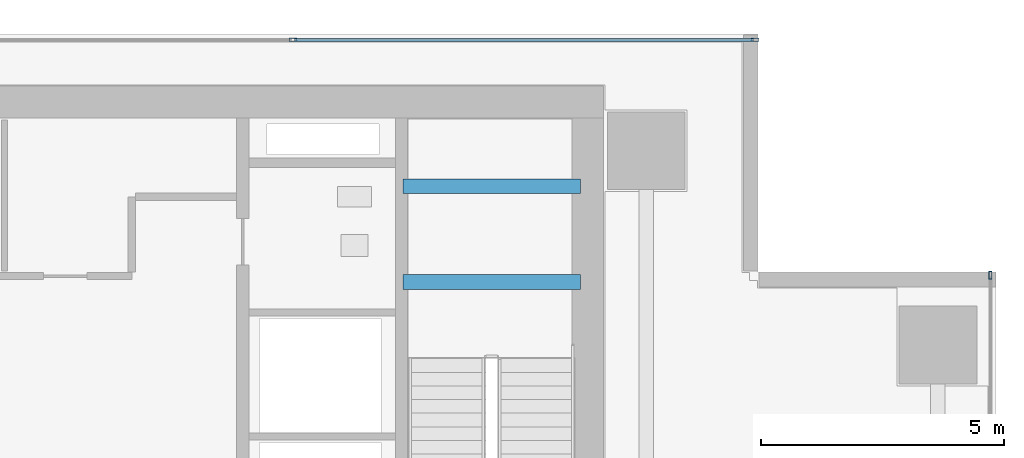
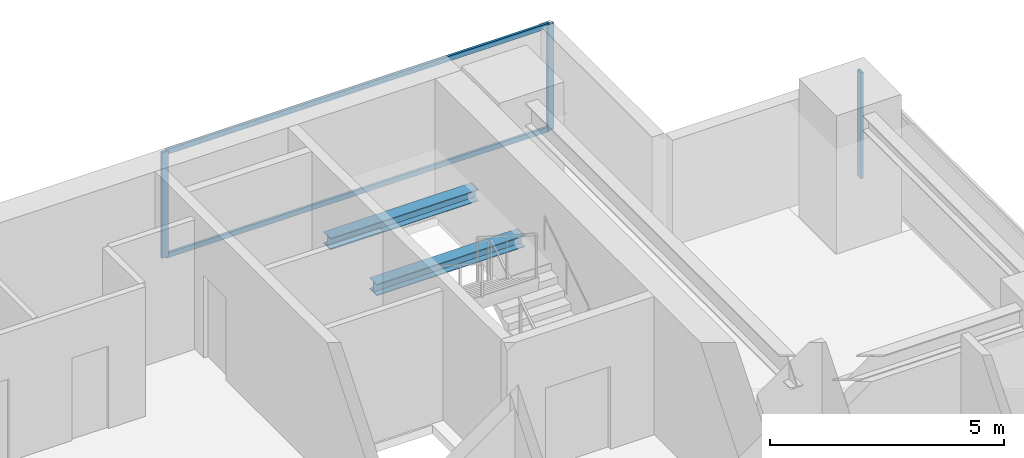
# One storey, part 19 of 28: 5 members, 2 beams, 2 elements without a shape of their own.
"""IFC4 building model written with IfcOpenShell, lengths in metres."""

from ifc_helpers import new_model, si_unit, direction, frame, origin, origin_2d, place, context, subcontext, project, spatial, hollow_rectangle, i_section, extrude, source, transform, mapped, material, layer, layer_set, material_profile, profile_set, type_object, element, aggregate, save


model = new_model("IFC4")

# Units and contexts
model_context = context("Model", 3, precision=1e-05, world=origin(), true_north=direction((0.0, 1.0)))
body_context = subcontext(model_context, "Body", "Model", "MODEL_VIEW")
ifc_project = project(units=[si_unit("LENGTHUNIT", "METRE"), si_unit("AREAUNIT", "SQUARE_METRE"), si_unit("VOLUMEUNIT", "CUBIC_METRE"), si_unit("PLANEANGLEUNIT", "RADIAN"), si_unit("MASSUNIT", "GRAM", prefix="KILO")], contexts=[model_context])

# Site, building, storey
site_placement = place(None, origin())
site = spatial("IfcSite", under=ifc_project, at=site_placement, CompositionType="ELEMENT")
building_placement = place(site_placement, origin())
building = spatial("IfcBuilding", under=site, at=building_placement, Name="Sumidabori Civic Tower", CompositionType="ELEMENT")
storey_placement = place(building_placement, frame((0.0, 0.0, 171.199951171875)))
storey = spatial("IfcBuildingStorey", under=building, at=storey_placement, Name="L44", CompositionType="ELEMENT", Elevation=171.199951171875)

# Beams
ifc_material_1 = material(Name="Steel SN490", Category="steel")
ifc_material_profile_1 = material_profile(ifc_material_1, i_section(OverallWidth=0.300048828125, OverallDepth=0.300048828125, WebThickness=0.010986328125, FlangeThickness=0.01904296875, at=origin_2d()), Name="HE 300 B")
ifc_profile_set_1 = profile_set([ifc_material_profile_1], Name="Steel SN490")
beam_type = type_object("IfcBeamType", Name="BM-LDG-300", PredefinedType="BEAM", material=ifc_profile_set_1)
shared_shape_1 = source(origin(), body_context, "Body", "SweptSolid", [
    extrude(i_section(OverallWidth=0.300048828125, OverallDepth=0.300048828125, WebThickness=0.010986328125, FlangeThickness=0.01904296875, at=origin_2d()), origin(), (0.0, 0.0, 1.0), 3.64990234375),
])
for number, where, z_axis, x_axis, name in (
    (1, (11.800048828125, 20.09765625, 1.449951171875), (1.0, 0.0, 0.0), (0.0, 1.0, 0.0), "Stair ST-2 Landing Support Beam L44-1A"),
    (2, (11.800048828125, 22.069580078125, 1.449951171875), (1.0, 0.0, 0.0), (0.0, 1.0, 0.0), "Stair ST-2 Landing Trimmer Beam L44-1B"),
):
    element("IfcBeam", number, at=place(storey_placement, frame(where, z_axis=z_axis, x_axis=x_axis)), inside=storey, type_object=beam_type, Name=name, PredefinedType="BEAM", context=body_context, shape_type="MappedRepresentation", body=[
        mapped(shared_shape_1, transform((0.0, 0.0, 0.0), x_axis=(1.0, 0.0, 0.0), y_axis=(0.0, 1.0, 0.0), z_axis=(0.0, 0.0, 1.0), scale=1.0)),
    ])

# Curtain wall, member
ifc_material_2 = material(Name="Anodised Bronze Aluminium AW-6063-T6", Category="aluminium")
ifc_layer = layer(ifc_material_2, 0.179931640625, Name="Anodised Bronze Aluminium AW-6063-T6")
ifc_layer_set = layer_set([ifc_layer], Name="Anodised Bronze Aluminium AW-6063-T6")
curtain_wall_type = type_object("IfcCurtainWallType", Name="CW-SYS-3", PredefinedType="NOTDEFINED", material=ifc_layer_set)
curtain_wall_1_placement = place(storey_placement, origin())
curtain_wall_1 = element("IfcCurtainWall", 3, at=curtain_wall_1_placement, inside=storey, type_object=curtain_wall_type, Name="Curtain Wall CW:L44:R04", PredefinedType="NOTDEFINED")
ifc_material_profile_2 = material_profile(ifc_material_2, hollow_rectangle(XDim=0.06494140625, YDim=0.159912109375, WallThickness=0.0048828125, at=origin_2d()), Name="ALU MULLION 160x65")
ifc_profile_set_2 = profile_set([ifc_material_profile_2], Name="Anodised Bronze Aluminium AW-6063-T6")
member_type_1 = type_object("IfcMemberType", Name="CW-MUL-160", PredefinedType="MULLION", material=ifc_profile_set_2)
shared_shape_2 = source(origin(), body_context, "Body", "SweptSolid", [
    extrude(hollow_rectangle(XDim=0.06494140625, YDim=0.159912109375, WallThickness=0.0048828125, at=origin_2d()), origin(), (0.0, 0.0, 1.0), 2.760009765625),
])
member_1_placement = place(storey_placement, frame((23.8798828125, 20.237548828125, 0.0), z_axis=(0.0, 0.0, 1.0), x_axis=(-1.0, 0.0, 0.0)))
member_1 = element("IfcMember", 4, at=member_1_placement, type_object=member_type_1, Name="CW-3 mullion 5", PredefinedType="MULLION", context=body_context, shape_type="MappedRepresentation", body=[
    mapped(shared_shape_2, transform((0.0, 0.0, 0.0), x_axis=(1.0, 0.0, 0.0), y_axis=(0.0, 1.0, 0.0), z_axis=(0.0, 0.0, 1.0), scale=1.0)),
])
aggregate(curtain_wall_1, [member_1])

# Curtain wall, members
curtain_wall_2_placement = place(storey_placement, origin())
curtain_wall_2 = element("IfcCurtainWall", 5, at=curtain_wall_2_placement, inside=storey, type_object=curtain_wall_type, Name="Curtain Wall CW:L44:R07", PredefinedType="NOTDEFINED")
member_2_placement = place(storey_placement, frame((19.03759765625, 25.080078125, 0.0), z_axis=(0.0, 0.0, 1.0), x_axis=(0.0, -1.0, 0.0)))
member_2 = element("IfcMember", 6, at=member_2_placement, type_object=member_type_1, Name="CW-3 mullion 1", PredefinedType="MULLION", context=body_context, shape_type="MappedRepresentation", body=[
    mapped(shared_shape_2, transform((0.0, 0.0, 0.0), x_axis=(1.0, 0.0, 0.0), y_axis=(0.0, 1.0, 0.0), z_axis=(0.0, 0.0, 1.0), scale=1.0)),
])
member_3_placement = place(storey_placement, frame((9.534912109375, 25.080078125, 0.0), z_axis=(0.0, 0.0, 1.0), x_axis=(0.0, -1.0, 0.0)))
member_3 = element("IfcMember", 7, at=member_3_placement, type_object=member_type_1, Name="CW-3 mullion 2", PredefinedType="MULLION", context=body_context, shape_type="MappedRepresentation", body=[
    mapped(shared_shape_2, transform((0.0, 0.0, 0.0), x_axis=(1.0, 0.0, 0.0), y_axis=(0.0, 1.0, 0.0), z_axis=(0.0, 0.0, 1.0), scale=1.0)),
])
ifc_material_profile_3 = material_profile(ifc_material_2, hollow_rectangle(XDim=0.06005859375, YDim=0.1298828125, WallThickness=0.0048828125, at=origin_2d()), Name="ALU TRANSOM 130x60")
ifc_profile_set_3 = profile_set([ifc_material_profile_3], Name="Anodised Bronze Aluminium AW-6063-T6")
member_type_2 = type_object("IfcMemberType", Name="CW-TRN-130", PredefinedType="USERDEFINED", material=ifc_profile_set_3)
shared_shape_3 = source(origin(), body_context, "Body", "SweptSolid", [
    extrude(hollow_rectangle(XDim=0.06005859375, YDim=0.1298828125, WallThickness=0.0048828125, at=origin_2d()), origin(), (0.0, 0.0, 1.0), 9.4375),
])
member_4_placement = place(storey_placement, frame((19.0048828125, 25.080078125, 0.030029296875), z_axis=(-1.0, 0.0, 0.0), x_axis=(0.0, -1.0, 0.0)))
member_4 = element("IfcMember", 8, at=member_4_placement, type_object=member_type_2, Name="CW-3 transom 1.1", ObjectType="TRANSOM", PredefinedType="USERDEFINED", context=body_context, shape_type="MappedRepresentation", body=[
    mapped(shared_shape_3, transform((0.0, 0.0, 0.0), x_axis=(1.0, 0.0, 0.0), y_axis=(0.0, 1.0, 0.0), z_axis=(0.0, 0.0, 1.0), scale=1.0)),
])
member_5_placement = place(storey_placement, frame((19.0048828125, 25.080078125, 2.72998046875), z_axis=(-1.0, 0.0, 0.0), x_axis=(0.0, -1.0, 0.0)))
member_5 = element("IfcMember", 9, at=member_5_placement, type_object=member_type_2, Name="CW-3 transom 1.2", ObjectType="TRANSOM", PredefinedType="USERDEFINED", context=body_context, shape_type="MappedRepresentation", body=[
    mapped(shared_shape_3, transform((0.0, 0.0, 0.0), x_axis=(1.0, 0.0, 0.0), y_axis=(0.0, 1.0, 0.0), z_axis=(0.0, 0.0, 1.0), scale=1.0)),
])
aggregate(curtain_wall_2, [member_2, member_3, member_4, member_5])

save(model, "model.ifc")
